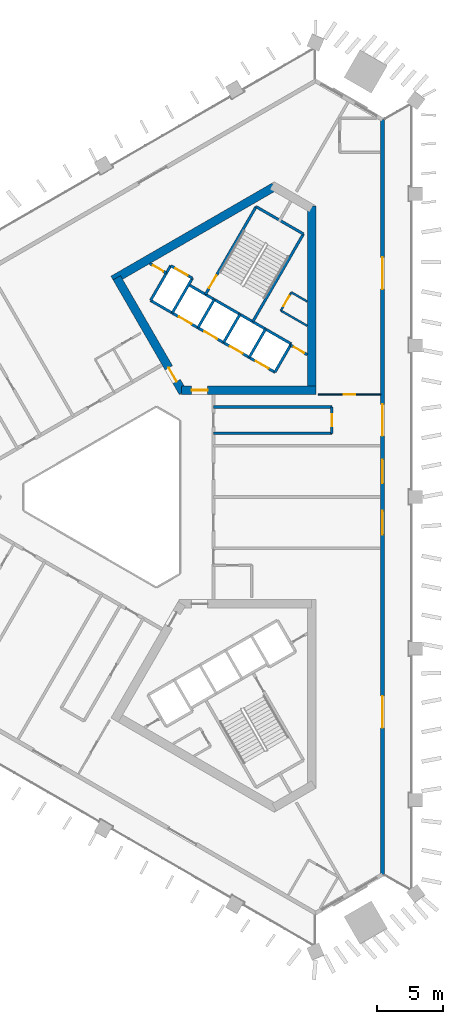
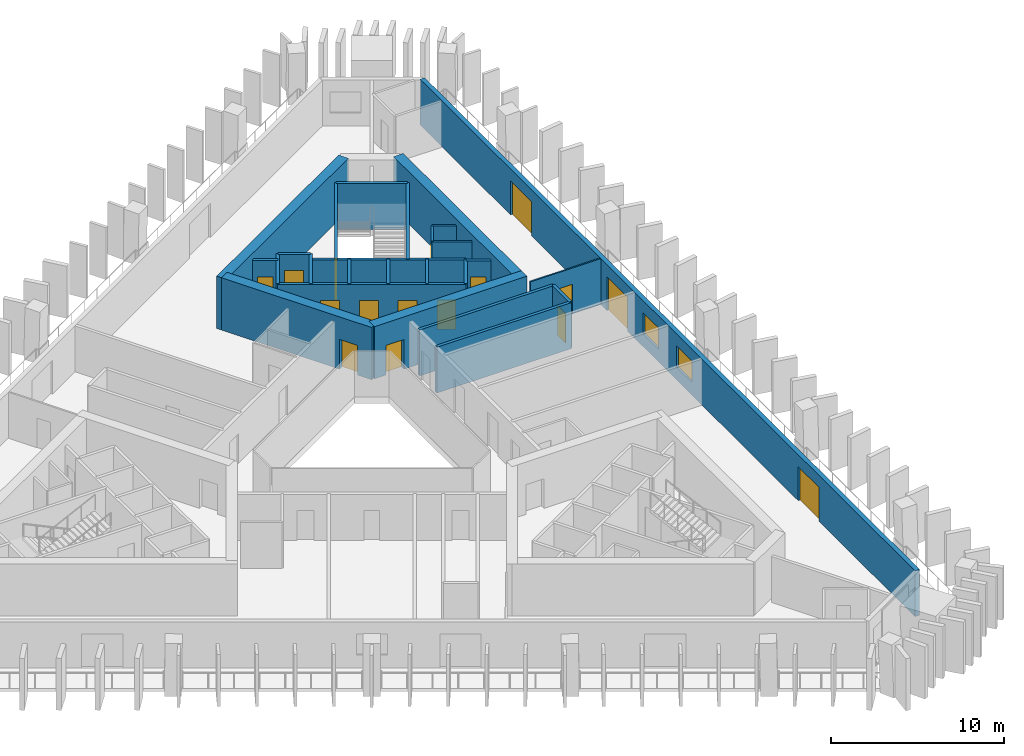
# One storey, part 5 of 10: 26 walls, 16 doors, 2 windows, 18 openings.
"""IFC4 building model written with IfcOpenShell, lengths in metres."""

from ifc_helpers import new_model, si_unit, direction, frame, frame_2d, origin, place, context, subcontext, project, spatial, rectangle, extrude, material, layer, layer_set, type_object, element, fill, save


model = new_model("IFC4")

# Units and contexts
model_context = context("Model", 3, precision=1e-05, world=origin(), true_north=direction((0.0, 1.0)))
body_context = subcontext(model_context, "Body", "Model", "MODEL_VIEW")
ifc_project = project(units=[si_unit("LENGTHUNIT", "METRE"), si_unit("AREAUNIT", "SQUARE_METRE"), si_unit("VOLUMEUNIT", "CUBIC_METRE"), si_unit("PLANEANGLEUNIT", "RADIAN"), si_unit("MASSUNIT", "GRAM", prefix="KILO")], contexts=[model_context])

# Site, building, storey
site_placement = place(None, origin())
site = spatial("IfcSite", under=ifc_project, at=site_placement, CompositionType="ELEMENT")
building_placement = place(site_placement, origin())
building = spatial("IfcBuilding", under=site, at=building_placement, Name="Jabali Bay Hotel Tower and Convention Centre", CompositionType="ELEMENT")
storey_placement = place(building_placement, frame((0.0, 0.0, 106.800048828125)))
storey = spatial("IfcBuildingStorey", under=building, at=storey_placement, Name="L25", CompositionType="ELEMENT", Elevation=106.800048828125)

# Wall, opening, door
ifc_material_1 = material(Name="Concrete C40", Category="concrete")
ifc_layer_1 = layer(ifc_material_1, 0.199951171875)
ifc_layer_set_1 = layer_set([ifc_layer_1], Name="Concrete C40")
wall_type_1 = type_object("IfcWallType", Name="Core partition wall 200", PredefinedType="PARTITIONING", material=ifc_layer_set_1)
wall_1_placement = place(storey_placement, frame((89.22998046875, 90.813720703125, 0.0), z_axis=(0.0, 0.0, 1.0), x_axis=(-0.866022048785, 0.500005810984, 0.0)))
wall_1 = element("IfcWall", 1, at=wall_1_placement, inside=storey, type_object=wall_type_1, Name="Core wall 1.11 L25", PredefinedType="PARTITIONING", context=body_context, shape_type="SweptSolid", body=[
    extrude(rectangle(XDim=1.466796875, YDim=0.199951171875, at=frame_2d((0.7333984375, 0.0))), origin(), (0.0, 0.0, 1.0), 3.25),
])
opening_1_placement = place(wall_1_placement, frame((0.283447265625, 0.0, 0.0)))
opening_1 = element("IfcOpeningElement", 2, at=opening_1_placement, cuts=wall_1, Name="Opening D573", PredefinedType="OPENING", context=body_context, shape_type="SweptSolid", body=[
    extrude(rectangle(XDim=0.89990234375, YDim=2.10009765625, at=frame_2d((0.449951171875, 1.050048828125))), frame((0.0, 0.1103515625, 0.0), z_axis=(0.0, -1.0, 0.0), x_axis=(1.0, 0.0, 0.0)), (0.0, 0.0, 1.0), 0.220947265625),
])
ifc_material_2 = material(Name="Fire-rated steel door", Category="steel")
door_type_1 = type_object("IfcDoorType", Name="Vestibule fire door 900 x 2100", OperationType="NOTDEFINED", PredefinedType="NOTDEFINED", material=ifc_material_2)
door_1_placement = place(opening_1_placement, origin())
door_1 = element("IfcDoor", 3, at=door_1_placement, inside=storey, type_object=door_type_1, Name="Vestibule fire door D573", OperationType="SINGLE_SWING_LEFT", OverallHeight=2.10009765625, OverallWidth=0.89990234375, PredefinedType="NOTDEFINED", context=body_context, shape_type="SweptSolid", body=[
    extrude(rectangle(XDim=0.89990234375, YDim=2.10009765625, at=frame_2d((0.449951171875, 1.050048828125))), frame((0.0, 0.02490234375, 0.0), z_axis=(0.0, -1.0, 0.0), x_axis=(1.0, 0.0, 0.0)), (0.0, 0.0, 1.0), 0.050048828125),
])
fill(opening_1, door_1)

wall_2_placement = place(storey_placement, frame((78.5302734375, 97.014404296875, 0.0), z_axis=(0.0, 0.0, 1.0), x_axis=(-0.866045896294, 0.499964504253, 0.0)))
wall_2 = element("IfcWall", 4, at=wall_2_placement, inside=storey, type_object=wall_type_1, Name="Core wall 1.12 L25", PredefinedType="PARTITIONING", context=body_context, shape_type="SweptSolid", body=[
    extrude(rectangle(XDim=1.455078125, YDim=0.199951171875, at=frame_2d((0.7275390625, 0.0))), origin(), (0.0, 0.0, 1.0), 3.25),
])
opening_2_placement = place(wall_2_placement, frame((0.277587890625, 0.0, 0.0)))
opening_2 = element("IfcOpeningElement", 5, at=opening_2_placement, cuts=wall_2, Name="Opening D572", PredefinedType="OPENING", context=body_context, shape_type="SweptSolid", body=[
    extrude(rectangle(XDim=0.89990234375, YDim=2.10009765625, at=frame_2d((0.449951171875, 1.050048828125))), frame((0.0, 0.1103515625, 0.0), z_axis=(0.0, -1.0, 0.0), x_axis=(1.0, 0.0, 0.0)), (0.0, 0.0, 1.0), 0.220947265625),
])
door_2_placement = place(opening_2_placement, origin())
door_2 = element("IfcDoor", 6, at=door_2_placement, inside=storey, type_object=door_type_1, Name="Vestibule fire door D572", OperationType="SINGLE_SWING_LEFT", OverallHeight=2.10009765625, OverallWidth=0.89990234375, PredefinedType="NOTDEFINED", context=body_context, shape_type="SweptSolid", body=[
    extrude(rectangle(XDim=0.89990234375, YDim=2.10009765625, at=frame_2d((0.449951171875, 1.050048828125))), frame((0.0, 0.02490234375, 0.0), z_axis=(0.0, -1.0, 0.0), x_axis=(1.0, 0.0, 0.0)), (0.0, 0.0, 1.0), 0.050048828125),
])
fill(opening_2, door_2)

ifc_material_3 = material(Name="Fire-rated board partition")
ifc_layer_2 = layer(ifc_material_3, 0.14990234375)
ifc_layer_set_2 = layer_set([ifc_layer_2], Name="Fire-rated board partition")
wall_type_2 = type_object("IfcWallType", Name="Core room partition 150", PredefinedType="PARTITIONING", material=ifc_layer_set_2)
wall_3_placement = place(storey_placement, frame((87.22119140625, 94.16748046875, 0.0), z_axis=(0.0, 0.0, 1.0), x_axis=(0.499880961361, 0.866094119867, 0.0)))
wall_3 = element("IfcWall", 7, at=wall_3_placement, inside=storey, type_object=wall_type_2, Name="Core wall 1.1 L25", PredefinedType="PARTITIONING", context=body_context, shape_type="SweptSolid", body=[
    extrude(rectangle(XDim=1.60009765625, YDim=0.14990234375, at=frame_2d((0.800048828125, 0.0))), origin(), (0.0, 0.0, 1.0), 3.25),
])
opening_3_placement = place(wall_3_placement, frame((0.387451171875, 0.0, 0.0)))
opening_3 = element("IfcOpeningElement", 8, at=opening_3_placement, cuts=wall_3, Name="Opening D575", PredefinedType="OPENING", context=body_context, shape_type="SweptSolid", body=[
    extrude(rectangle(XDim=0.89990234375, YDim=2.10009765625, at=frame_2d((0.449951171875, 1.050048828125))), frame((0.0, 0.08544921875, 0.0), z_axis=(0.0, -1.0, 0.0), x_axis=(1.0, 0.0, 0.0)), (0.0, 0.0, 1.0), 0.1708984375),
])
door_type_2 = type_object("IfcDoorType", Name="Core room door 900 x 2100", OperationType="NOTDEFINED", PredefinedType="NOTDEFINED", material=ifc_material_2)
door_3_placement = place(opening_3_placement, origin())
door_3 = element("IfcDoor", 9, at=door_3_placement, inside=storey, type_object=door_type_2, Name="Core room door D575", OperationType="SINGLE_SWING_LEFT", OverallHeight=2.10009765625, OverallWidth=0.89990234375, PredefinedType="NOTDEFINED", context=body_context, shape_type="SweptSolid", body=[
    extrude(rectangle(XDim=0.89990234375, YDim=2.10009765625, at=frame_2d((0.449951171875, 1.050048828125))), frame((0.0, 0.02490234375, 0.0), z_axis=(0.0, -1.0, 0.0), x_axis=(1.0, 0.0, 0.0)), (0.0, 0.0, 1.0), 0.050048828125),
])
fill(opening_3, door_3)

# Walls
wall_4_placement = place(storey_placement, frame((89.22998046875, 93.0078125, 0.0), z_axis=(0.0, 0.0, 1.0), x_axis=(-0.866045366557, 0.49996542187, 0.0)))
element("IfcWall", 10, at=wall_4_placement, inside=storey, type_object=wall_type_2, Name="Core wall 1.15 L25", PredefinedType="PARTITIONING", context=body_context, shape_type="SweptSolid", body=[
    extrude(rectangle(XDim=2.319580078125, YDim=0.14990234375, at=frame_2d((1.15966796875, 0.0))), origin(), (0.0, 0.0, 1.0), 3.25),
])
wall_5_placement = place(storey_placement, frame((89.22998046875, 94.855224609375, 0.0), z_axis=(0.0, 0.0, 1.0), x_axis=(-0.866028321769, 0.499994945868, 0.0)))
element("IfcWall", 11, at=wall_5_placement, inside=storey, type_object=wall_type_2, Name="Core wall 1.16 L25", PredefinedType="PARTITIONING", context=body_context, shape_type="SweptSolid", body=[
    extrude(rectangle(XDim=1.39599609375, YDim=0.14990234375, at=frame_2d((0.697998046875, 0.0))), origin(), (0.0, 0.0, 1.0), 3.25),
])
ifc_layer_3 = layer(ifc_material_1, 0.199951171875)
ifc_layer_set_3 = layer_set([ifc_layer_3], Name="Concrete C40")
wall_type_3 = type_object("IfcWallType", Name="Core stair wall 200", PredefinedType="SOLIDWALL", material=ifc_layer_set_3)
for number, where, z_axis, x_axis, name in (
    (12, (86.769775390625, 89.48583984375, 0.0), (0.0, 0.0, 1.0), (0.499961042966, 0.86604789447, 0.0), "Core wall 1.0 L25"),
    (13, (84.8212890625, 90.61083984375, 0.0), (0.0, 0.0, 1.0), (0.499961042966, 0.86604789447, 0.0), "Core wall 1.2 L25"),
):
    element("IfcWall", number, at=place(storey_placement, frame(where, z_axis=z_axis, x_axis=x_axis)), inside=storey, type_object=wall_type_3, Name=name, PredefinedType="SOLIDWALL", context=body_context, shape_type="SweptSolid", body=[
        extrude(rectangle(XDim=2.480224609375, YDim=0.199951171875, at=frame_2d((1.240234375, 0.0))), origin(), (0.0, 0.0, 1.0), 3.25),
    ])
wall_6_placement = place(storey_placement, frame((85.0869140625, 93.3212890625, 0.0), z_axis=(0.0, 0.0, 1.0), x_axis=(0.500019787375, 0.866013979237, 0.0)))
element("IfcWall", 14, at=wall_6_placement, inside=storey, type_object=wall_type_3, Name="Core wall 1.3 L25", PredefinedType="SOLIDWALL", context=body_context, shape_type="SweptSolid", body=[
    extrude(rectangle(XDim=7.699951171875, YDim=0.199951171875, at=frame_2d((3.85009765625, 0.0))), origin(), (0.0, 0.0, 1.0), 3.25),
])
for number, where, z_axis, x_axis, name in (
    (15, (82.872802734375, 91.73583984375, 0.0), (0.0, 0.0, 1.0), (0.499961042966, 0.86604789447, 0.0), "Core wall 1.4 L25"),
    (16, (80.924072265625, 92.86083984375, 0.0), (0.0, 0.0, 1.0), (0.499961042966, 0.86604789447, 0.0), "Core wall 1.6 L25"),
):
    element("IfcWall", number, at=place(storey_placement, frame(where, z_axis=z_axis, x_axis=x_axis)), inside=storey, type_object=wall_type_3, Name=name, PredefinedType="SOLIDWALL", context=body_context, shape_type="SweptSolid", body=[
        extrude(rectangle(XDim=2.480224609375, YDim=0.199951171875, at=frame_2d((1.240234375, 0.0))), origin(), (0.0, 0.0, 1.0), 3.25),
    ])

# Wall, opening, door
wall_7_placement = place(storey_placement, frame((81.492919921875, 95.396240234375, 0.0), z_axis=(0.0, 0.0, 1.0), x_axis=(0.500006057782, 0.866021906294, 0.0)))
wall_7 = element("IfcWall", 17, at=wall_7_placement, inside=storey, type_object=wall_type_3, Name="Core wall 1.7 L25", PredefinedType="SOLIDWALL", context=body_context, shape_type="SweptSolid", body=[
    extrude(rectangle(XDim=7.7001953125, YDim=0.199951171875, at=frame_2d((3.85009765625, 0.0))), origin(), (0.0, 0.0, 1.0), 3.25),
])
opening_4_placement = place(wall_7_placement, frame((0.550048828125, 0.0, 0.0)))
opening_4 = element("IfcOpeningElement", 18, at=opening_4_placement, cuts=wall_7, Name="Opening D574", PredefinedType="OPENING", context=body_context, shape_type="SweptSolid", body=[
    extrude(rectangle(XDim=1.10009765625, YDim=2.10009765625, at=frame_2d((0.550048828125, 1.050048828125))), frame((0.0, 0.1103515625, 0.0), z_axis=(0.0, -1.0, 0.0), x_axis=(1.0, 0.0, 0.0)), (0.0, 0.0, 1.0), 0.220947265625),
])
door_type_3 = type_object("IfcDoorType", Name="Stair fire door 1100 x 2100", OperationType="NOTDEFINED", PredefinedType="NOTDEFINED", material=ifc_material_2)
door_4_placement = place(opening_4_placement, origin())
door_4 = element("IfcDoor", 19, at=door_4_placement, inside=storey, type_object=door_type_3, Name="Stair fire door D574", OperationType="SINGLE_SWING_RIGHT", OverallHeight=2.10009765625, OverallWidth=1.10009765625, PredefinedType="NOTDEFINED", context=body_context, shape_type="SweptSolid", body=[
    extrude(rectangle(XDim=1.10009765625, YDim=2.10009765625, at=frame_2d((0.550048828125, 1.050048828125))), frame((0.0, 0.02490234375, 0.0), z_axis=(0.0, -1.0, 0.0), x_axis=(1.0, 0.0, 0.0)), (0.0, 0.0, 1.0), 0.050048828125),
])
fill(opening_4, door_4)

# Walls
for number, where, z_axis, x_axis, name in (
    (20, (78.9755859375, 93.98583984375, 0.0), (0.0, 0.0, 1.0), (0.499944174705, 0.866057632134, 0.0), "Core wall 1.8 L25"),
    (21, (77.330078125, 94.93603515625, 0.0), (0.0, 0.0, 1.0), (0.500038867431, 0.8660029625, 0.0), "Core wall 1.9 L25"),
):
    element("IfcWall", number, at=place(storey_placement, frame(where, z_axis=z_axis, x_axis=x_axis)), inside=storey, type_object=wall_type_3, Name=name, PredefinedType="SOLIDWALL", context=body_context, shape_type="SweptSolid", body=[
        extrude(rectangle(XDim=3.050048828125, YDim=0.199951171875, at=frame_2d((1.52490234375, 0.0))), origin(), (0.0, 0.0, 1.0), 3.25),
    ])

# Wall, openings, doors
wall_8_placement = place(storey_placement, frame((86.769775390625, 89.48583984375, 0.0), z_axis=(0.0, 0.0, 1.0), x_axis=(-0.86601811187, 0.500012629753, 0.0)))
wall_8 = element("IfcWall", 22, at=wall_8_placement, inside=storey, type_object=wall_type_3, Name="Core wall 1.10 L25", PredefinedType="SOLIDWALL", context=body_context, shape_type="SweptSolid", body=[
    extrude(rectangle(XDim=10.900146484375, YDim=0.199951171875, at=frame_2d((5.4501953125, 0.0))), origin(), (0.0, 0.0, 1.0), 3.25),
])
opening_5_placement = place(wall_8_placement, frame((0.574951171875, 0.0, 0.0)))
opening_5 = element("IfcOpeningElement", 23, at=opening_5_placement, cuts=wall_8, Name="Opening LD6-L25", PredefinedType="OPENING", context=body_context, shape_type="SweptSolid", body=[
    extrude(rectangle(XDim=1.10009765625, YDim=2.10009765625, at=frame_2d((0.550048828125, 1.050048828125))), frame((0.0, 0.1103515625, 0.0), z_axis=(0.0, -1.0, 0.0), x_axis=(1.0, 0.0, 0.0)), (0.0, 0.0, 1.0), 0.220947265625),
])
opening_6_placement = place(wall_8_placement, frame((2.824951171875, 0.0, 0.0)))
opening_6 = element("IfcOpeningElement", 24, at=opening_6_placement, cuts=wall_8, Name="Opening LD7-L25", PredefinedType="OPENING", context=body_context, shape_type="SweptSolid", body=[
    extrude(rectangle(XDim=1.10009765625, YDim=2.10009765625, at=frame_2d((0.550048828125, 1.050048828125))), frame((0.0, 0.1103515625, 0.0), z_axis=(0.0, -1.0, 0.0), x_axis=(1.0, 0.0, 0.0)), (0.0, 0.0, 1.0), 0.220947265625),
])
opening_7_placement = place(wall_8_placement, frame((5.074951171875, 0.0, 0.0)))
opening_7 = element("IfcOpeningElement", 25, at=opening_7_placement, cuts=wall_8, Name="Opening LD8-L25", PredefinedType="OPENING", context=body_context, shape_type="SweptSolid", body=[
    extrude(rectangle(XDim=1.10009765625, YDim=2.10009765625, at=frame_2d((0.550048828125, 1.050048828125))), frame((0.0, 0.1103515625, 0.0), z_axis=(0.0, -1.0, 0.0), x_axis=(1.0, 0.0, 0.0)), (0.0, 0.0, 1.0), 0.220947265625),
])
opening_8_placement = place(wall_8_placement, frame((7.324951171875, 0.0, 0.0)))
opening_8 = element("IfcOpeningElement", 26, at=opening_8_placement, cuts=wall_8, Name="Opening LD9-L25", PredefinedType="OPENING", context=body_context, shape_type="SweptSolid", body=[
    extrude(rectangle(XDim=1.10009765625, YDim=2.10009765625, at=frame_2d((0.550048828125, 1.050048828125))), frame((0.0, 0.1103515625, 0.0), z_axis=(0.0, -1.0, 0.0), x_axis=(1.0, 0.0, 0.0)), (0.0, 0.0, 1.0), 0.220947265625),
])
ifc_material_4 = material(Name="Stainless steel landing door", Category="steel")
door_type_4 = type_object("IfcDoorType", Name="Landing door 1100 x 2100", OperationType="NOTDEFINED", PredefinedType="NOTDEFINED", material=ifc_material_4)
door_5_placement = place(opening_5_placement, origin())
door_5 = element("IfcDoor", 27, at=door_5_placement, inside=storey, type_object=door_type_4, Name="Landing doors LD6-L25", OperationType="SLIDING_TO_RIGHT", OverallHeight=2.10009765625, OverallWidth=1.10009765625, PredefinedType="NOTDEFINED", context=body_context, shape_type="SweptSolid", body=[
    extrude(rectangle(XDim=1.10009765625, YDim=2.10009765625, at=frame_2d((0.550048828125, 1.050048828125))), frame((0.0, 0.02490234375, 0.0), z_axis=(0.0, -1.0, 0.0), x_axis=(1.0, 0.0, 0.0)), (0.0, 0.0, 1.0), 0.050048828125),
])
fill(opening_5, door_5)
door_6_placement = place(opening_6_placement, origin())
door_6 = element("IfcDoor", 28, at=door_6_placement, inside=storey, type_object=door_type_4, Name="Landing doors LD7-L25", OperationType="SLIDING_TO_LEFT", OverallHeight=2.10009765625, OverallWidth=1.10009765625, PredefinedType="NOTDEFINED", context=body_context, shape_type="SweptSolid", body=[
    extrude(rectangle(XDim=1.10009765625, YDim=2.10009765625, at=frame_2d((0.550048828125, 1.050048828125))), frame((0.0, 0.02490234375, 0.0), z_axis=(0.0, -1.0, 0.0), x_axis=(1.0, 0.0, 0.0)), (0.0, 0.0, 1.0), 0.050048828125),
])
fill(opening_6, door_6)
door_7_placement = place(opening_7_placement, origin())
door_7 = element("IfcDoor", 29, at=door_7_placement, inside=storey, type_object=door_type_4, Name="Landing doors LD8-L25", OperationType="SLIDING_TO_RIGHT", OverallHeight=2.10009765625, OverallWidth=1.10009765625, PredefinedType="NOTDEFINED", context=body_context, shape_type="SweptSolid", body=[
    extrude(rectangle(XDim=1.10009765625, YDim=2.10009765625, at=frame_2d((0.550048828125, 1.050048828125))), frame((0.0, 0.02490234375, 0.0), z_axis=(0.0, -1.0, 0.0), x_axis=(1.0, 0.0, 0.0)), (0.0, 0.0, 1.0), 0.050048828125),
])
fill(opening_7, door_7)
door_8_placement = place(opening_8_placement, origin())
door_8 = element("IfcDoor", 30, at=door_8_placement, inside=storey, type_object=door_type_4, Name="Landing doors LD9-L25", OperationType="SLIDING_TO_LEFT", OverallHeight=2.10009765625, OverallWidth=1.10009765625, PredefinedType="NOTDEFINED", context=body_context, shape_type="SweptSolid", body=[
    extrude(rectangle(XDim=1.10009765625, YDim=2.10009765625, at=frame_2d((0.550048828125, 1.050048828125))), frame((0.0, 0.02490234375, 0.0), z_axis=(0.0, -1.0, 0.0), x_axis=(1.0, 0.0, 0.0)), (0.0, 0.0, 1.0), 0.050048828125),
])
fill(opening_8, door_8)

# Wall
wall_9_placement = place(storey_placement, frame((88.009765625, 91.6337890625, 0.0), z_axis=(0.0, 0.0, 1.0), x_axis=(-0.866024315419, 0.5000018851, 0.0)))
element("IfcWall", 31, at=wall_9_placement, inside=storey, type_object=wall_type_3, Name="Core wall 1.13 L25", PredefinedType="SOLIDWALL", context=body_context, shape_type="SweptSolid", body=[
    extrude(rectangle(XDim=9.0, YDim=0.199951171875, at=frame_2d((4.5, 0.0))), origin(), (0.0, 0.0, 1.0), 3.25),
])

# Wall, opening, door
wall_10_placement = place(storey_placement, frame((80.50048828125, 96.62744140625, 0.0), z_axis=(0.0, 0.0, 1.0), x_axis=(-0.86601224135, 0.500022797313, 0.0)))
wall_10 = element("IfcWall", 32, at=wall_10_placement, inside=storey, type_object=wall_type_3, Name="Core wall 1.14 L25", PredefinedType="SOLIDWALL", context=body_context, shape_type="SweptSolid", body=[
    extrude(rectangle(XDim=1.89990234375, YDim=0.199951171875, at=frame_2d((0.949951171875, 0.0))), origin(), (0.0, 0.0, 1.0), 3.25),
])
opening_9_placement = place(wall_10_placement, frame((0.39990234375, 0.0, 0.0)))
opening_9 = element("IfcOpeningElement", 33, at=opening_9_placement, cuts=wall_10, Name="Opening LD10-L25", PredefinedType="OPENING", context=body_context, shape_type="SweptSolid", body=[
    extrude(rectangle(XDim=1.10009765625, YDim=2.10009765625, at=frame_2d((0.550048828125, 1.050048828125))), frame((0.0, 0.1103515625, 0.0), z_axis=(0.0, -1.0, 0.0), x_axis=(1.0, 0.0, 0.0)), (0.0, 0.0, 1.0), 0.220947265625),
])
door_9_placement = place(opening_9_placement, origin())
door_9 = element("IfcDoor", 34, at=door_9_placement, inside=storey, type_object=door_type_4, Name="Landing doors LD10-L25", OperationType="SLIDING_TO_RIGHT", OverallHeight=2.10009765625, OverallWidth=1.10009765625, PredefinedType="NOTDEFINED", context=body_context, shape_type="SweptSolid", body=[
    extrude(rectangle(XDim=1.10009765625, YDim=2.10009765625, at=frame_2d((0.550048828125, 1.050048828125))), frame((0.0, 0.02490234375, 0.0), z_axis=(0.0, -1.0, 0.0), x_axis=(1.0, 0.0, 0.0)), (0.0, 0.0, 1.0), 0.050048828125),
])
fill(opening_9, door_9)

# Wall
wall_11_placement = place(storey_placement, frame((88.93701171875, 99.989501953125, 0.0), z_axis=(0.0, 0.0, 1.0), x_axis=(-0.866004344652, 0.500036473714, 0.0)))
element("IfcWall", 35, at=wall_11_placement, inside=storey, type_object=wall_type_3, Name="Core wall 1.17 L25", PredefinedType="SOLIDWALL", context=body_context, shape_type="SweptSolid", body=[
    extrude(rectangle(XDim=4.150146484375, YDim=0.199951171875, at=frame_2d((2.0751953125, 0.0))), origin(), (0.0, 0.0, 1.0), 3.25),
])

# Wall, opening, door
ifc_material_5 = material(Name="Concrete C60", Category="concrete")
ifc_layer_4 = layer(ifc_material_5, 0.64990234375)
ifc_layer_set_4 = layer_set([ifc_layer_4], Name="Concrete C60")
wall_type_4 = type_object("IfcWallType", Name="Core wall 650", PredefinedType="SHEAR", material=ifc_layer_set_4)
wall_12_placement = place(storey_placement, frame((79.687744140625, 88.119140625, 0.0), z_axis=(0.0, 0.0, 1.0), x_axis=(1.0, 0.0, 0.0)))
wall_12 = element("IfcWall", 36, at=wall_12_placement, inside=storey, type_object=wall_type_4, Name="Core wall 2.1 L25", PredefinedType="SHEAR", context=body_context, shape_type="SweptSolid", body=[
    extrude(rectangle(XDim=10.192138671875, YDim=0.64990234375, at=frame_2d((5.09619140625, 0.0))), origin(), (0.0, 0.0, 1.0), 3.699951171875),
])
opening_10_placement = place(wall_12_placement, frame((0.762451171875, 0.0, 0.0)))
opening_10 = element("IfcOpeningElement", 37, at=opening_10_placement, cuts=wall_12, Name="Opening D570", PredefinedType="OPENING", context=body_context, shape_type="SweptSolid", body=[
    extrude(rectangle(XDim=1.199951171875, YDim=2.10009765625, at=frame_2d((0.60009765625, 1.050048828125))), frame((0.0, 0.33544921875, 0.0), z_axis=(0.0, -1.0, 0.0), x_axis=(1.0, 0.0, 0.0)), (0.0, 0.0, 1.0), 0.6708984375),
])
door_type_5 = type_object("IfcDoorType", Name="Corridor end fire door 1200 x 2100", OperationType="NOTDEFINED", PredefinedType="NOTDEFINED", material=ifc_material_2)
door_10_placement = place(opening_10_placement, origin())
door_10 = element("IfcDoor", 38, at=door_10_placement, inside=storey, type_object=door_type_5, Name="Corridor end fire door D570", OperationType="SINGLE_SWING_RIGHT", OverallHeight=2.10009765625, OverallWidth=1.199951171875, PredefinedType="NOTDEFINED", context=body_context, shape_type="SweptSolid", body=[
    extrude(rectangle(XDim=1.199951171875, YDim=2.10009765625, at=frame_2d((0.60009765625, 1.050048828125))), frame((0.0, 0.02490234375, 0.0), z_axis=(0.0, -1.0, 0.0), x_axis=(1.0, 0.0, 0.0)), (0.0, 0.0, 1.0), 0.050048828125),
])
fill(opening_10, door_10)

# Walls
wall_13_placement = place(storey_placement, frame((89.554931640625, 88.119140625, 0.0), z_axis=(0.0, 0.0, 1.0), x_axis=(0.0, 1.0, 0.0)))
element("IfcWall", 39, at=wall_13_placement, inside=storey, type_object=wall_type_4, Name="Core wall 2.2 L25", PredefinedType="SHEAR", context=body_context, shape_type="SweptSolid", body=[
    extrude(rectangle(XDim=14.008544921875, YDim=0.64990234375, at=frame_2d((7.00439453125, 0.0))), origin(), (0.0, 0.0, 1.0), 3.699951171875),
])
wall_14_placement = place(storey_placement, frame((86.72314453125, 103.574951171875, 0.0), z_axis=(0.0, 0.0, 1.0), x_axis=(-0.866031824457, -0.499988878904, 0.0)))
element("IfcWall", 40, at=wall_14_placement, inside=storey, type_object=wall_type_4, Name="Core wall 2.4 L25", PredefinedType="SHEAR", context=body_context, shape_type="SweptSolid", body=[
    extrude(rectangle(XDim=14.145751953125, YDim=0.64990234375, at=frame_2d((7.07275390625, 0.0))), origin(), (0.0, 0.0, 1.0), 3.699951171875),
])

# Wall, opening, door
wall_15_placement = place(storey_placement, frame((74.75390625, 96.66455078125, 0.0), z_axis=(0.0, 0.0, 1.0), x_axis=(0.500011799426, -0.866018591275, 0.0)))
wall_15 = element("IfcWall", 41, at=wall_15_placement, inside=storey, type_object=wall_type_4, Name="Core wall 2.5 L25", PredefinedType="SHEAR", context=body_context, shape_type="SweptSolid", body=[
    extrude(rectangle(XDim=10.054931640625, YDim=0.64990234375, at=frame_2d((5.02734375, 0.0))), origin(), (0.0, 0.0, 1.0), 3.699951171875),
])
opening_11_placement = place(wall_15_placement, frame((7.905029296875, 0.0, 0.0)))
opening_11 = element("IfcOpeningElement", 42, at=opening_11_placement, cuts=wall_15, Name="Opening D571", PredefinedType="OPENING", context=body_context, shape_type="SweptSolid", body=[
    extrude(rectangle(XDim=1.199951171875, YDim=2.10009765625, at=frame_2d((0.60009765625, 1.050048828125))), frame((0.0, 0.33544921875, 0.0), z_axis=(0.0, -1.0, 0.0), x_axis=(1.0, 0.0, 0.0)), (0.0, 0.0, 1.0), 0.6708984375),
])
door_11_placement = place(opening_11_placement, origin())
door_11 = element("IfcDoor", 43, at=door_11_placement, inside=storey, type_object=door_type_5, Name="Corridor end fire door D571", OperationType="SINGLE_SWING_LEFT", OverallHeight=2.10009765625, OverallWidth=1.199951171875, PredefinedType="NOTDEFINED", context=body_context, shape_type="SweptSolid", body=[
    extrude(rectangle(XDim=1.199951171875, YDim=2.10009765625, at=frame_2d((0.60009765625, 1.050048828125))), frame((0.0, 0.02490234375, 0.0), z_axis=(0.0, -1.0, 0.0), x_axis=(1.0, 0.0, 0.0)), (0.0, 0.0, 1.0), 0.050048828125),
])
fill(opening_11, door_11)

# Wall, openings, doors, windows
ifc_layer_5 = layer(ifc_material_1, 0.300048828125)
ifc_layer_set_5 = layer_set([ifc_layer_5], Name="Concrete C40")
wall_type_5 = type_object("IfcWallType", Name="External wall 300", PredefinedType="SOLIDWALL", material=ifc_layer_set_5)
wall_16_placement = place(storey_placement, frame((94.949462890625, 108.68359375, 0.0), z_axis=(0.0, 0.0, 1.0), x_axis=(0.0, -1.0, 0.0)))
wall_16 = element("IfcWall", 44, at=wall_16_placement, inside=storey, type_object=wall_type_5, Name="External wall east face L25", PredefinedType="SOLIDWALL", context=body_context, shape_type="SweptSolid", body=[
    extrude(rectangle(XDim=57.3671875, YDim=0.300048828125, at=frame_2d((28.68359375, 0.0))), origin(), (0.0, 0.0, 1.0), 3.25),
])
opening_12_placement = place(wall_16_placement, frame((21.637939453125, 0.0, 0.0)))
opening_12 = element("IfcOpeningElement", 45, at=opening_12_placement, cuts=wall_16, Name="Opening SD1", PredefinedType="OPENING", context=body_context, shape_type="SweptSolid", body=[
    extrude(rectangle(XDim=2.39990234375, YDim=2.39990234375, at=frame_2d((1.199951171875, 1.199951171875))), frame((0.0, 0.16064453125, 0.0), z_axis=(0.0, -1.0, 0.0), x_axis=(1.0, 0.0, 0.0)), (0.0, 0.0, 1.0), 0.321044921875),
])
opening_13_placement = place(wall_16_placement, frame((10.48046875, 0.0, 0.0)))
opening_13 = element("IfcOpeningElement", 46, at=opening_13_placement, cuts=wall_16, Name="Opening SD1", PredefinedType="OPENING", context=body_context, shape_type="SweptSolid", body=[
    extrude(rectangle(XDim=2.39990234375, YDim=2.39990234375, at=frame_2d((1.199951171875, 1.199951171875))), frame((0.0, 0.16064453125, 0.0), z_axis=(0.0, -1.0, 0.0), x_axis=(1.0, 0.0, 0.0)), (0.0, 0.0, 1.0), 0.321044921875),
])
opening_14_placement = place(wall_16_placement, frame((43.817138671875, 0.0, 0.0)))
opening_14 = element("IfcOpeningElement", 47, at=opening_14_placement, cuts=wall_16, Name="Opening SD1", PredefinedType="OPENING", context=body_context, shape_type="SweptSolid", body=[
    extrude(rectangle(XDim=2.39990234375, YDim=2.39990234375, at=frame_2d((1.199951171875, 1.199951171875))), frame((0.0, 0.16064453125, 0.0), z_axis=(0.0, -1.0, 0.0), x_axis=(1.0, 0.0, 0.0)), (0.0, 0.0, 1.0), 0.321044921875),
])
opening_15_placement = place(wall_16_placement, frame((29.732177734375, 0.0, 0.89990234375)))
opening_15 = element("IfcOpeningElement", 48, at=opening_15_placement, cuts=wall_16, Name="Opening W1", PredefinedType="OPENING", context=body_context, shape_type="SweptSolid", body=[
    extrude(rectangle(XDim=1.800048828125, YDim=1.5, at=frame_2d((0.89990234375, 0.75))), frame((0.0, 0.16064453125, 0.0), z_axis=(0.0, -1.0, 0.0), x_axis=(1.0, 0.0, 0.0)), (0.0, 0.0, 1.0), 0.321044921875),
])
opening_16_placement = place(wall_16_placement, frame((25.8349609375, 0.0, 0.89990234375)))
opening_16 = element("IfcOpeningElement", 49, at=opening_16_placement, cuts=wall_16, Name="Opening W1", PredefinedType="OPENING", context=body_context, shape_type="SweptSolid", body=[
    extrude(rectangle(XDim=1.800048828125, YDim=1.5, at=frame_2d((0.89990234375, 0.75))), frame((0.0, 0.16064453125, 0.0), z_axis=(0.0, -1.0, 0.0), x_axis=(1.0, 0.0, 0.0)), (0.0, 0.0, 1.0), 0.321044921875),
])
ifc_material_6 = material(Name="Glass", Category="glass")
door_type_6 = type_object("IfcDoorType", Name="Loggia sliding door 2400 x 2400", OperationType="NOTDEFINED", PredefinedType="NOTDEFINED", material=ifc_material_6)
door_12_placement = place(opening_12_placement, origin())
door_12 = element("IfcDoor", 50, at=door_12_placement, inside=storey, type_object=door_type_6, Name="Loggia sliding door 2502", OperationType="SLIDING_TO_LEFT", OverallHeight=2.39990234375, OverallWidth=2.39990234375, PredefinedType="NOTDEFINED", context=body_context, shape_type="SweptSolid", body=[
    extrude(rectangle(XDim=2.39990234375, YDim=2.39990234375, at=frame_2d((1.199951171875, 1.199951171875))), frame((0.0, 0.02490234375, 0.0), z_axis=(0.0, -1.0, 0.0), x_axis=(1.0, 0.0, 0.0)), (0.0, 0.0, 1.0), 0.050048828125),
])
fill(opening_12, door_12)
door_13_placement = place(opening_13_placement, origin())
door_13 = element("IfcDoor", 51, at=door_13_placement, inside=storey, type_object=door_type_6, Name="Loggia sliding door 2502", OperationType="SLIDING_TO_RIGHT", OverallHeight=2.39990234375, OverallWidth=2.39990234375, PredefinedType="NOTDEFINED", context=body_context, shape_type="SweptSolid", body=[
    extrude(rectangle(XDim=2.39990234375, YDim=2.39990234375, at=frame_2d((1.199951171875, 1.199951171875))), frame((0.0, 0.02490234375, 0.0), z_axis=(0.0, -1.0, 0.0), x_axis=(1.0, 0.0, 0.0)), (0.0, 0.0, 1.0), 0.050048828125),
])
fill(opening_13, door_13)
door_14_placement = place(opening_14_placement, origin())
door_14 = element("IfcDoor", 52, at=door_14_placement, inside=storey, type_object=door_type_6, Name="Loggia sliding door 2501", OperationType="SLIDING_TO_LEFT", OverallHeight=2.39990234375, OverallWidth=2.39990234375, PredefinedType="NOTDEFINED", context=body_context, shape_type="SweptSolid", body=[
    extrude(rectangle(XDim=2.39990234375, YDim=2.39990234375, at=frame_2d((1.199951171875, 1.199951171875))), frame((0.0, 0.02490234375, 0.0), z_axis=(0.0, -1.0, 0.0), x_axis=(1.0, 0.0, 0.0)), (0.0, 0.0, 1.0), 0.050048828125),
])
fill(opening_14, door_14)
window_type = type_object("IfcWindowType", Name="Window 1800 x 1500", PartitioningType="SINGLE_PANEL", PredefinedType="WINDOW", material=ifc_material_6)
window_1_placement = place(opening_15_placement, origin())
window_1 = element("IfcWindow", 53, at=window_1_placement, inside=storey, type_object=window_type, Name="Window", OverallHeight=1.5, OverallWidth=1.800048828125, PartitioningType="SINGLE_PANEL", PredefinedType="WINDOW", context=body_context, shape_type="SweptSolid", body=[
    extrude(rectangle(XDim=1.800048828125, YDim=1.5, at=frame_2d((0.89990234375, 0.75))), frame((0.0, 0.030029296875, 0.0), z_axis=(0.0, -1.0, 0.0), x_axis=(1.0, 0.0, 0.0)), (0.0, 0.0, 1.0), 0.06005859375),
])
fill(opening_15, window_1)
window_2_placement = place(opening_16_placement, origin())
window_2 = element("IfcWindow", 54, at=window_2_placement, inside=storey, type_object=window_type, Name="Window", OverallHeight=1.5, OverallWidth=1.800048828125, PartitioningType="SINGLE_PANEL", PredefinedType="WINDOW", context=body_context, shape_type="SweptSolid", body=[
    extrude(rectangle(XDim=1.800048828125, YDim=1.5, at=frame_2d((0.89990234375, 0.75))), frame((0.0, 0.030029296875, 0.0), z_axis=(0.0, -1.0, 0.0), x_axis=(1.0, 0.0, 0.0)), (0.0, 0.0, 1.0), 0.06005859375),
])
fill(opening_16, window_2)

# Wall, opening, door
ifc_material_7 = material(Name="Plasterboard on steel stud", Category="steel")
ifc_layer_6 = layer(ifc_material_7, 0.10009765625)
ifc_layer_set_6 = layer_set([ifc_layer_6], Name="Plasterboard on steel stud")
wall_type_6 = type_object("IfcWallType", Name="Partition 100 unit", PredefinedType="PARTITIONING", material=ifc_layer_set_6)
wall_17_placement = place(storey_placement, frame((94.800537109375, 87.794189453125, 0.0), z_axis=(0.0, 0.0, 1.0), x_axis=(-1.0, 0.0, 0.0)))
wall_17 = element("IfcWall", 55, at=wall_17_placement, inside=storey, type_object=wall_type_6, Name="Partition P02 L25 007", PredefinedType="PARTITIONING", context=body_context, shape_type="SweptSolid", body=[
    extrude(rectangle(XDim=4.721435546875, YDim=0.10009765625, at=frame_2d((2.36083984375, 0.0))), origin(), (0.0, 0.0, 1.0), 3.25),
])
opening_17_placement = place(wall_17_placement, frame((1.910888671875, 0.0, 0.0)))
opening_17 = element("IfcOpeningElement", 56, at=opening_17_placement, cuts=wall_17, Name="Opening 2506", PredefinedType="OPENING", context=body_context, shape_type="SweptSolid", body=[
    extrude(rectangle(XDim=0.89990234375, YDim=2.10009765625, at=frame_2d((0.449951171875, 1.050048828125))), frame((0.0, 0.060546875, 0.0), z_axis=(0.0, -1.0, 0.0), x_axis=(1.0, 0.0, 0.0)), (0.0, 0.0, 1.0), 0.12109375),
])
ifc_material_8 = material(Name="Timber", Category="wood")
door_type_7 = type_object("IfcDoorType", Name="Internal door 900 x 2100", OperationType="NOTDEFINED", PredefinedType="NOTDEFINED", material=ifc_material_8)
door_15_placement = place(opening_17_placement, origin())
door_15 = element("IfcDoor", 57, at=door_15_placement, inside=storey, type_object=door_type_7, Name="Door 2506", OperationType="SINGLE_SWING_RIGHT", OverallHeight=2.10009765625, OverallWidth=0.89990234375, PredefinedType="NOTDEFINED", context=body_context, shape_type="SweptSolid", body=[
    extrude(rectangle(XDim=0.89990234375, YDim=2.10009765625, at=frame_2d((0.449951171875, 1.050048828125))), frame((0.0, 0.02490234375, 0.0), z_axis=(0.0, -1.0, 0.0), x_axis=(1.0, 0.0, 0.0)), (0.0, 0.0, 1.0), 0.050048828125),
])
fill(opening_17, door_15)

# Wall
ifc_layer_7 = layer(ifc_material_7, 0.199951171875)
ifc_layer_set_7 = layer_set([ifc_layer_7], Name="Plasterboard on steel stud")
wall_type_7 = type_object("IfcWallType", Name="Partition 200 party", PredefinedType="PARTITIONING", material=ifc_layer_set_7)
wall_18_placement = place(storey_placement, frame((82.10009765625, 86.845703125, 0.0), z_axis=(0.0, 0.0, 1.0), x_axis=(1.0, 0.0, 0.0)))
element("IfcWall", 58, at=wall_18_placement, inside=storey, type_object=wall_type_7, Name="Partition P01 L25 008", PredefinedType="PARTITIONING", context=body_context, shape_type="SweptSolid", body=[
    extrude(rectangle(XDim=9.0, YDim=0.199951171875, at=frame_2d((4.5, 0.0))), origin(), (0.0, 0.0, 1.0), 3.25),
])

# Wall, opening, door
wall_19_placement = place(storey_placement, frame((91.10009765625, 86.845703125, 0.0), z_axis=(0.0, 0.0, 1.0), x_axis=(0.0, -1.0, 0.0)))
wall_19 = element("IfcWall", 59, at=wall_19_placement, inside=storey, type_object=wall_type_7, Name="Partition P01 L25 009", PredefinedType="PARTITIONING", context=body_context, shape_type="SweptSolid", body=[
    extrude(rectangle(XDim=2.0, YDim=0.199951171875, at=frame_2d((1.0, 0.0))), origin(), (0.0, 0.0, 1.0), 3.25),
])
opening_18_placement = place(wall_19_placement, frame((0.550048828125, 0.0, 0.0)))
opening_18 = element("IfcOpeningElement", 60, at=opening_18_placement, cuts=wall_19, Name="Opening 2508", PredefinedType="OPENING", context=body_context, shape_type="SweptSolid", body=[
    extrude(rectangle(XDim=0.89990234375, YDim=2.10009765625, at=frame_2d((0.449951171875, 1.050048828125))), frame((0.0, 0.1103515625, 0.0), z_axis=(0.0, -1.0, 0.0), x_axis=(1.0, 0.0, 0.0)), (0.0, 0.0, 1.0), 0.220947265625),
])
door_16_placement = place(opening_18_placement, origin())
door_16 = element("IfcDoor", 61, at=door_16_placement, inside=storey, type_object=door_type_7, Name="Door 2508", OperationType="SINGLE_SWING_RIGHT", OverallHeight=2.10009765625, OverallWidth=0.89990234375, PredefinedType="NOTDEFINED", context=body_context, shape_type="SweptSolid", body=[
    extrude(rectangle(XDim=0.89990234375, YDim=2.10009765625, at=frame_2d((0.449951171875, 1.050048828125))), frame((0.0, 0.02490234375, 0.0), z_axis=(0.0, -1.0, 0.0), x_axis=(1.0, 0.0, 0.0)), (0.0, 0.0, 1.0), 0.050048828125),
])
fill(opening_18, door_16)

# Wall
wall_20_placement = place(storey_placement, frame((91.10009765625, 84.845703125, 0.0), z_axis=(0.0, 0.0, 1.0), x_axis=(-1.0, 0.0, 0.0)))
element("IfcWall", 62, at=wall_20_placement, inside=storey, type_object=wall_type_7, Name="Partition P01 L25 010", PredefinedType="PARTITIONING", context=body_context, shape_type="SweptSolid", body=[
    extrude(rectangle(XDim=9.0, YDim=0.199951171875, at=frame_2d((4.5, 0.0))), origin(), (0.0, 0.0, 1.0), 3.25),
])

save(model, "model.ifc")
